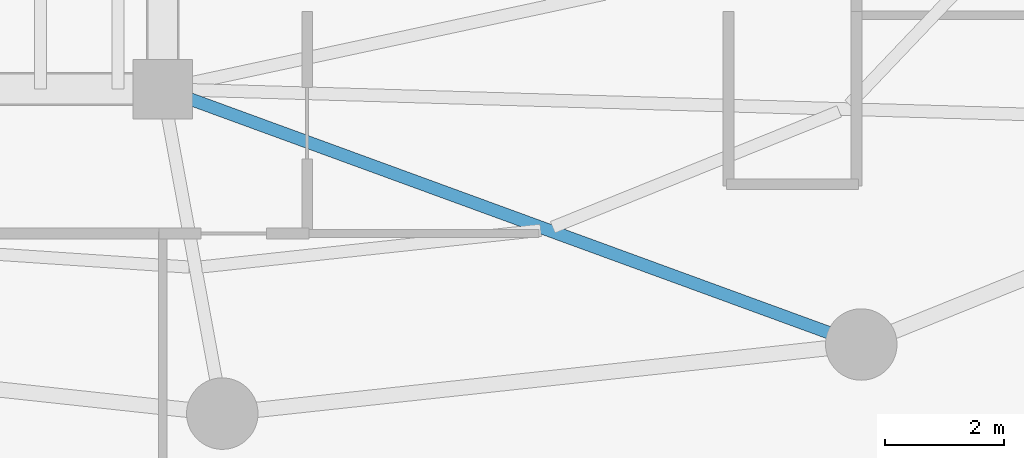
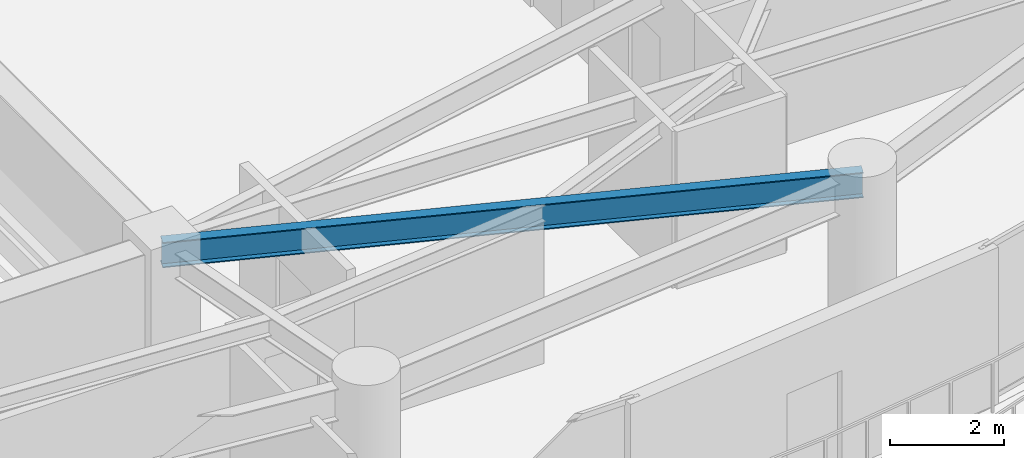
# One storey, part 11 of 34: 1 beam.
"""IFC4 building model written with IfcOpenShell, lengths in metres."""

from ifc_helpers import new_model, si_unit, direction, frame, origin, origin_2d, place, context, subcontext, project, spatial, i_section, extrude, material, material_profile, profile_set, type_object, element, save


model = new_model("IFC4")

# Units and contexts
model_context = context("Model", 3, precision=1e-05, world=origin(), true_north=direction((0.0, 1.0)))
body_context = subcontext(model_context, "Body", "Model", "MODEL_VIEW")
ifc_project = project(units=[si_unit("LENGTHUNIT", "METRE"), si_unit("AREAUNIT", "SQUARE_METRE"), si_unit("VOLUMEUNIT", "CUBIC_METRE"), si_unit("PLANEANGLEUNIT", "RADIAN"), si_unit("MASSUNIT", "GRAM", prefix="KILO")], contexts=[model_context])

# Site, building, storey
site_placement = place(None, origin())
site = spatial("IfcSite", under=ifc_project, at=site_placement, CompositionType="ELEMENT")
building_placement = place(site_placement, origin())
building = spatial("IfcBuilding", under=site, at=building_placement, Name="Kazevale Care Tower and Concert Hall", CompositionType="ELEMENT")
storey_placement = place(building_placement, frame((0.0, 0.0, 160.199951171875)))
storey = spatial("IfcBuildingStorey", under=building, at=storey_placement, Name="L42", CompositionType="ELEMENT", Elevation=160.199951171875)

# Beam
ifc_material = material(Name="Steel ASTM A572 Gr 50", Category="steel")
ifc_material_profile = material_profile(ifc_material, i_section(OverallWidth=0.2119140625, OverallDepth=0.5439453125, WebThickness=0.01318359375, FlangeThickness=0.021240234375, at=origin_2d()), Name="W530x123")
ifc_profile_set = profile_set([ifc_material_profile], Name="Steel ASTM A572 Gr 50")
beam_type = type_object("IfcBeamType", Name="Radial Floor Girder W530x123", PredefinedType="BEAM", material=ifc_profile_set)
beam_placement = place(storey_placement, frame((44.0, 23.60009765625, 3.088134765625), z_axis=(0.939159459123, -0.343481455599, 0.0), x_axis=(0.343481455599, 0.939159459123, 0.0)))
element("IfcBeam", 1, at=beam_placement, inside=storey, type_object=beam_type, Name="beam:L42:rad:14", PredefinedType="BEAM", context=body_context, shape_type="SweptSolid", body=[
    extrude(i_section(OverallWidth=0.2119140625, OverallDepth=0.5439453125, WebThickness=0.01318359375, FlangeThickness=0.021240234375, at=origin_2d()), origin(), (0.0, 0.0, 1.0), 12.489990234375),
])

save(model, "model.ifc")
